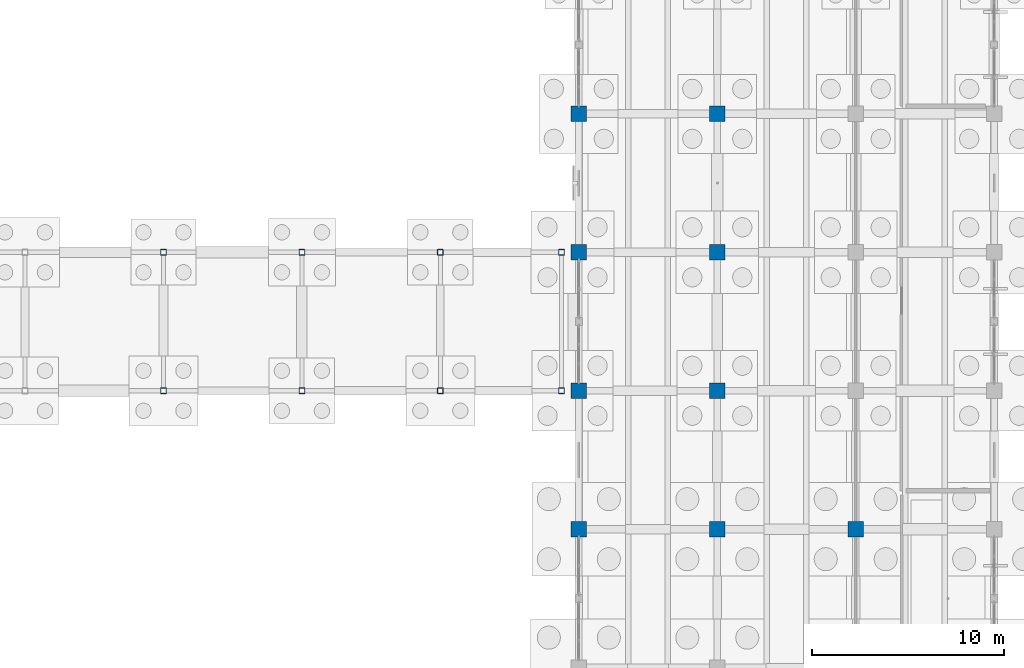
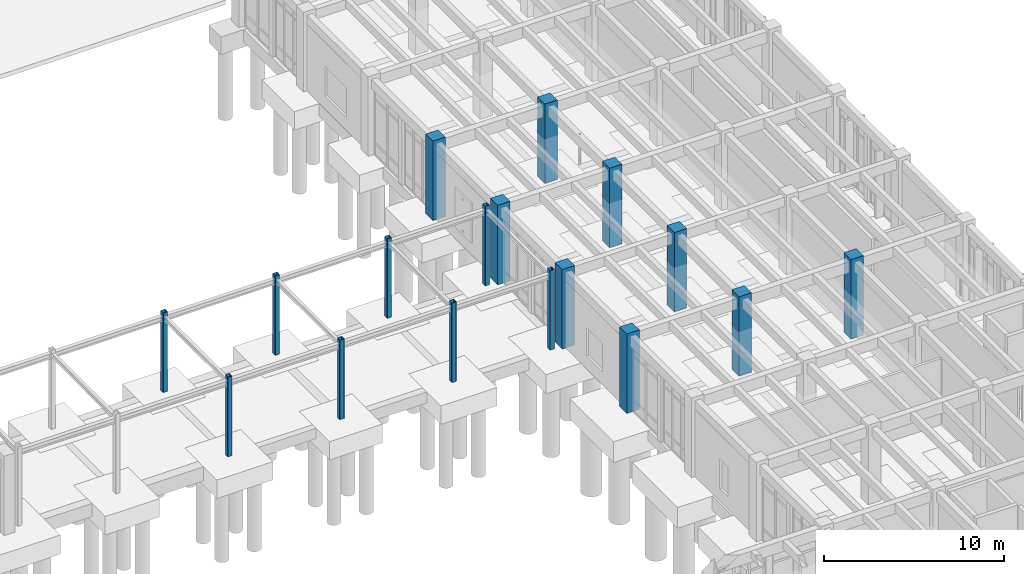
# One storey, part 15 of 93: 17 columns.
"""IFC4 building model written with IfcOpenShell, lengths in metres."""

from ifc_helpers import new_model, si_unit, direction, frame, origin, origin_2d, place, context, subcontext, project, spatial, rectangle, hollow_rectangle, extrude, material, material_profile, profile_set, type_object, element, save


model = new_model("IFC4")

# Units and contexts
model_context = context("Model", 3, precision=1e-05, world=origin(), true_north=direction((0.0, 1.0)))
body_context = subcontext(model_context, "Body", "Model", "MODEL_VIEW")
ifc_project = project(units=[si_unit("LENGTHUNIT", "METRE"), si_unit("AREAUNIT", "SQUARE_METRE"), si_unit("VOLUMEUNIT", "CUBIC_METRE"), si_unit("PLANEANGLEUNIT", "RADIAN"), si_unit("MASSUNIT", "GRAM", prefix="KILO")], contexts=[model_context])

# Site, building, storey
site_placement = place(None, origin())
site = spatial("IfcSite", under=ifc_project, at=site_placement, CompositionType="ELEMENT")
building_placement = place(site_placement, origin())
building = spatial("IfcBuilding", under=site, at=building_placement, Name="Koriwan Promenade Central Fire Station", CompositionType="ELEMENT")
storey_placement = place(building_placement, origin())
storey = spatial("IfcBuildingStorey", under=building, at=storey_placement, Name="L00", CompositionType="ELEMENT", Elevation=0.0)

# Columns
ifc_material_1 = material(Name="Concrete C40/50", Category="concrete")
ifc_material_profile_1 = material_profile(ifc_material_1, rectangle(XDim=0.800048828125, YDim=0.800048828125, at=origin_2d()), Name="RC-COL-800x800")
ifc_profile_set_1 = profile_set([ifc_material_profile_1], Name="Concrete C40/50")
column_type_1 = type_object("IfcColumnType", Name="Column_RC-COL-800x800", PredefinedType="COLUMN", material=ifc_profile_set_1)
for number, where, z_axis, x_axis, name in (
    (1, (151.199951171875, 36.0, 0.0), (0.0, 0.0, 1.0), (1.0, 0.0, 0.0), "V5 L00 column (151.2, 36.0)"),
    (2, (151.199951171875, 43.199951171875, 0.0), (0.0, 0.0, 1.0), (1.0, 0.0, 0.0), "V5 L00 column (151.2, 43.2)"),
    (3, (151.199951171875, 50.39990234375, 0.0), (0.0, 0.0, 1.0), (1.0, 0.0, 0.0), "V5 L00 column (151.2, 50.4)"),
    (4, (151.199951171875, 57.60009765625, 0.0), (0.0, 0.0, 1.0), (1.0, 0.0, 0.0), "V5 L00 column (151.2, 57.6)"),
    (5, (158.39990234375, 36.0, 0.0), (0.0, 0.0, 1.0), (1.0, 0.0, 0.0), "V5 L00 column (158.4, 36.0)"),
    (6, (158.39990234375, 43.199951171875, 0.0), (0.0, 0.0, 1.0), (1.0, 0.0, 0.0), "V5 L00 column (158.4, 43.2)"),
    (7, (158.39990234375, 50.39990234375, 0.0), (0.0, 0.0, 1.0), (1.0, 0.0, 0.0), "V5 L00 column (158.4, 50.4)"),
    (8, (158.39990234375, 57.60009765625, 0.0), (0.0, 0.0, 1.0), (1.0, 0.0, 0.0), "V5 L00 column (158.4, 57.6)"),
    (9, (165.60009765625, 36.0, 0.0), (0.0, 0.0, 1.0), (1.0, 0.0, 0.0), "V5 L00 column (165.6, 36.0)"),
):
    element("IfcColumn", number, at=place(storey_placement, frame(where, z_axis=z_axis, x_axis=x_axis)), inside=storey, type_object=column_type_1, Name=name, PredefinedType="COLUMN", context=body_context, shape_type="SweptSolid", body=[
        extrude(rectangle(XDim=0.800048828125, YDim=0.800048828125, at=origin_2d()), origin(), (0.0, 0.0, 1.0), 5.39990234375),
    ])
ifc_material_2 = material(Name="Steel ASTM A500 Grade C", Category="steel")
ifc_material_profile_2 = material_profile(ifc_material_2, hollow_rectangle(XDim=0.300048828125, YDim=0.300048828125, WallThickness=0.013916015625, InnerFilletRadius=0.013916015625, OuterFilletRadius=0.028076171875, at=origin_2d()), Name="HSS300x300x14")
ifc_profile_set_2 = profile_set([ifc_material_profile_2], Name="Steel ASTM A500 Grade C")
column_type_2 = type_object("IfcColumnType", Name="SteelColumn_HSS300x300x14", PredefinedType="COLUMN", material=ifc_profile_set_2)
for number, where, z_axis, x_axis, name in (
    (10, (129.60009765625, 43.199951171875, 0.0), (0.0, 0.0, 1.0), (1.0, 0.0, 0.0), "COL_CHARBAGH L00 pier (129.6, 43.2)"),
    (11, (129.60009765625, 50.39990234375, 0.0), (0.0, 0.0, 1.0), (1.0, 0.0, 0.0), "COL_CHARBAGH L00 pier (129.6, 50.4)"),
    (12, (136.800048828125, 43.199951171875, 0.0), (0.0, 0.0, 1.0), (1.0, 0.0, 0.0), "COL_CHARBAGH L00 pier (136.8, 43.2)"),
    (13, (136.800048828125, 50.39990234375, 0.0), (0.0, 0.0, 1.0), (1.0, 0.0, 0.0), "COL_CHARBAGH L00 pier (136.8, 50.4)"),
    (14, (144.0, 43.199951171875, 0.0), (0.0, 0.0, 1.0), (1.0, 0.0, 0.0), "COL_CHARBAGH L00 pier (144.0, 43.2)"),
    (15, (144.0, 50.39990234375, 0.0), (0.0, 0.0, 1.0), (1.0, 0.0, 0.0), "COL_CHARBAGH L00 pier (144.0, 50.4)"),
    (16, (150.300048828125, 43.199951171875, 0.0), (0.0, 0.0, 1.0), (1.0, 0.0, 0.0), "COL_CHARBAGH L00 pier (150.3, 43.2)"),
    (17, (150.300048828125, 50.39990234375, 0.0), (0.0, 0.0, 1.0), (1.0, 0.0, 0.0), "COL_CHARBAGH L00 pier (150.3, 50.4)"),
):
    element("IfcColumn", number, at=place(storey_placement, frame(where, z_axis=z_axis, x_axis=x_axis)), inside=storey, type_object=column_type_2, Name=name, PredefinedType="COLUMN", context=body_context, shape_type="SweptSolid", body=[
        extrude(hollow_rectangle(XDim=0.300048828125, YDim=0.300048828125, WallThickness=0.013916015625, InnerFilletRadius=0.013916015625, OuterFilletRadius=0.028076171875, at=origin_2d()), origin(), (0.0, 0.0, 1.0), 5.39990234375),
    ])

save(model, "model.ifc")
